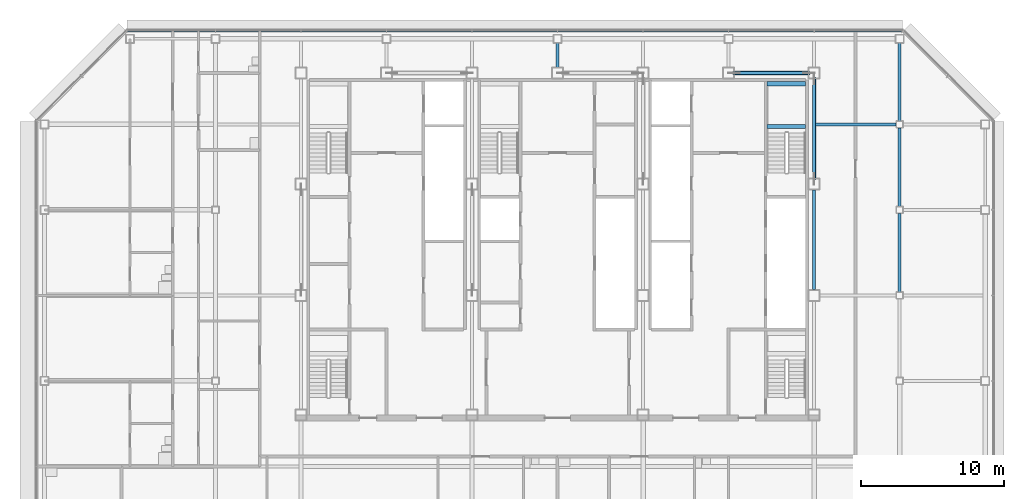
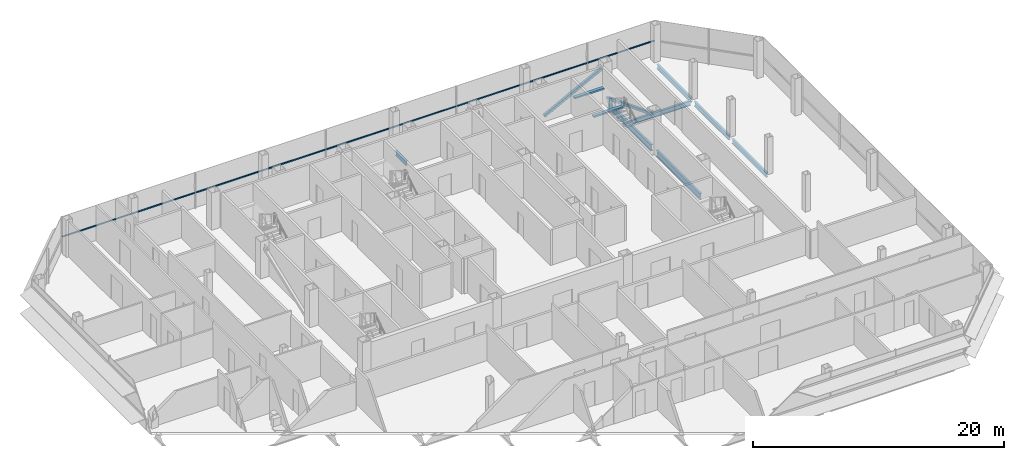
# One storey, part 15 of 28: 9 beams, 3 members, 1 element without a shape of its own.
"""IFC4 building model written with IfcOpenShell, lengths in metres."""

from ifc_helpers import new_model, si_unit, direction, frame, origin, origin_2d, place, context, subcontext, project, spatial, rectangle, hollow_rectangle, i_section, extrude, material, material_profile, profile_set, type_object, element, aggregate, save


model = new_model("IFC4")

# Units and contexts
model_context = context("Model", 3, precision=1e-05, world=origin(), true_north=direction((0.0, 1.0)))
body_context = subcontext(model_context, "Body", "Model", "MODEL_VIEW")
ifc_project = project(units=[si_unit("LENGTHUNIT", "METRE"), si_unit("AREAUNIT", "SQUARE_METRE"), si_unit("VOLUMEUNIT", "CUBIC_METRE"), si_unit("PLANEANGLEUNIT", "RADIAN"), si_unit("MASSUNIT", "GRAM", prefix="KILO")], contexts=[model_context])

# Site, building, storey
site_placement = place(None, origin())
site = spatial("IfcSite", under=ifc_project, at=site_placement, CompositionType="ELEMENT")
building_placement = place(site_placement, origin())
building = spatial("IfcBuilding", under=site, at=building_placement, Name="Sorahane Residences", CompositionType="ELEMENT")
storey_placement = place(building_placement, frame((0.0, 0.0, 270.199951171875)))
storey = spatial("IfcBuildingStorey", under=building, at=storey_placement, Name="L64", CompositionType="ELEMENT", Elevation=270.199951171875)

# Members
ifc_material_1 = material(Name="Steel Q355B", Category="steel")
ifc_material_profile_1 = material_profile(ifc_material_1, hollow_rectangle(XDim=0.25, YDim=0.25, WallThickness=0.013916015625, InnerFilletRadius=0.007080078125, OuterFilletRadius=0.02099609375, at=origin_2d()), Name="RHS 250x250x14")
ifc_profile_set_1 = profile_set([ifc_material_profile_1], Name="Steel Q355B")
member_type_1 = type_object("IfcMemberType", Name="Core brace RHS 250x250x14 Q355B", PredefinedType="BRACE", material=ifc_profile_set_1)
member_1_placement = place(storey_placement, frame((36.365234375, 45.60009765625, 0.10693359375), z_axis=(0.886099769192, 0.0, 0.46349455125), x_axis=(0.0, 1.0, 0.0)))
element("IfcMember", 1, at=member_1_placement, inside=storey, type_object=member_type_1, Name="Core brace L64 y45.6-6", PredefinedType="BRACE", context=body_context, shape_type="SweptSolid", body=[
    extrude(hollow_rectangle(XDim=0.25, YDim=0.25, WallThickness=0.013916015625, InnerFilletRadius=0.007080078125, OuterFilletRadius=0.02099609375, at=origin_2d()), origin(), (0.0, 0.0, 1.0), 5.94677734375),
])
member_2_placement = place(storey_placement, frame((42.0, 45.22705078125, 0.114501953125), z_axis=(0.0, -0.932097872445, 0.362206510411), x_axis=(1.0, 0.0, 0.0)))
element("IfcMember", 2, at=member_2_placement, inside=storey, type_object=member_type_1, Name="Core brace L64 x42-3", PredefinedType="BRACE", context=body_context, shape_type="SweptSolid", body=[
    extrude(hollow_rectangle(XDim=0.25, YDim=0.25, WallThickness=0.013916015625, InnerFilletRadius=0.007080078125, OuterFilletRadius=0.02099609375, at=origin_2d()), origin(), (0.0, 0.0, 1.0), 7.568115234375),
])

# Curtain wall, member
ifc_material_2 = material(Name="Dark low-e glass and black anodised aluminium", Category="aluminium")
curtain_wall_type = type_object("IfcCurtainWallType", Name="Curtain wall CW-1 Typical unitised wall", PredefinedType="NOTDEFINED", material=ifc_material_2)
curtain_wall_placement = place(storey_placement, origin())
curtain_wall = element("IfcCurtainWall", 3, at=curtain_wall_placement, inside=storey, type_object=curtain_wall_type, Name="CW-1 curtain wall L64 N1", PredefinedType="NOTDEFINED")
ifc_material_3 = material(Name="Black anodised aluminium", Category="aluminium")
ifc_material_profile_2 = material_profile(ifc_material_3, rectangle(XDim=0.10009765625, YDim=0.06005859375, at=origin_2d()), Name="Curtain wall transom CW-1 black anodised aluminium 60x100")
ifc_profile_set_2 = profile_set([ifc_material_profile_2], Name="Black anodised aluminium")
member_type_2 = type_object("IfcMemberType", Name="Curtain wall transom CW-1 black anodised aluminium 60x100", PredefinedType="USERDEFINED", material=ifc_profile_set_2)
member_3_placement = place(storey_placement, frame((48.198486328125, 48.530029296875, 1.5), z_axis=(-1.0, 0.0, 0.0), x_axis=(0.0, -1.0, 0.0)))
member_3 = element("IfcMember", 4, at=member_3_placement, type_object=member_type_2, Name="CW-1 transom L64 N1", ObjectType="TRANSOM", PredefinedType="USERDEFINED", context=body_context, shape_type="SweptSolid", body=[
    extrude(rectangle(XDim=0.10009765625, YDim=0.06005859375, at=origin_2d()), origin(), (0.0, 0.0, 1.0), 54.39697265625),
])
aggregate(curtain_wall, [member_3])

# Beams
ifc_material_4 = material(Name="Concrete C40", Category="concrete")
ifc_material_profile_3 = material_profile(ifc_material_4, rectangle(XDim=0.300048828125, YDim=0.139892578125, at=origin_2d()), Name="300x140")
ifc_profile_set_3 = profile_set([ifc_material_profile_3], Name="Concrete C40")
beam_type_1 = type_object("IfcBeamType", Name="RC landing beam 300 x 140 Concrete C40", PredefinedType="BEAM", material=ifc_profile_set_3)
for number, where, z_axis, x_axis, name in (
    (5, (38.699951171875, 41.85009765625, 1.530029296875), (1.0, 0.0, 0.0), (0.0, 1.0, 0.0), "Landing beam"),
    (6, (38.699951171875, 44.85009765625, 1.530029296875), (1.0, 0.0, 0.0), (0.0, 1.0, 0.0), "Landing beam"),
):
    element("IfcBeam", number, at=place(storey_placement, frame(where, z_axis=z_axis, x_axis=x_axis)), inside=storey, type_object=beam_type_1, Name=name, PredefinedType="BEAM", context=body_context, shape_type="SweptSolid", body=[
        extrude(rectangle(XDim=0.300048828125, YDim=0.139892578125, at=origin_2d()), origin(), (0.0, 0.0, 1.0), 2.699951171875),
    ])
ifc_material_5 = material(Name="Steel Q355B", Category="steel")
ifc_material_profile_4 = material_profile(ifc_material_5, i_section(OverallWidth=0.199951171875, OverallDepth=0.449951171875, WebThickness=0.009033203125, FlangeThickness=0.013916015625, FilletRadius=0.02001953125, at=origin_2d()), Name="HN 450x200x9x14")
ifc_profile_set_4 = profile_set([ifc_material_profile_4], Name="Steel Q355B")
beam_type_2 = type_object("IfcBeamType", Name="Steel floor beam HN 450x200x9x14 Q355B", PredefinedType="BEAM", material=ifc_profile_set_4)
beam_1_placement = place(storey_placement, frame((24.0, 46.0, -0.405029296875), z_axis=(0.0, 1.0, 0.0), x_axis=(-1.0, 0.0, 0.0)))
element("IfcBeam", 7, at=beam_1_placement, inside=storey, type_object=beam_type_2, Name="Beam L64 043", PredefinedType="BEAM", context=body_context, shape_type="SweptSolid", body=[
    extrude(i_section(OverallWidth=0.199951171875, OverallDepth=0.449951171875, WebThickness=0.009033203125, FlangeThickness=0.013916015625, FilletRadius=0.02001953125, at=origin_2d()), origin(), (0.0, 0.0, 1.0), 1.699951171875),
])
for number, where, z_axis, x_axis, name in (
    (8, (48.0, 30.25, -0.405029296875), (0.0, 1.0, 0.0), (-1.0, 0.0, 0.0), "Beam L64 061"),
    (9, (48.0, 36.25, -0.405029296875), (0.0, 1.0, 0.0), (-1.0, 0.0, 0.0), "Beam L64 062"),
):
    element("IfcBeam", number, at=place(storey_placement, frame(where, z_axis=z_axis, x_axis=x_axis)), inside=storey, type_object=beam_type_2, Name=name, PredefinedType="BEAM", context=body_context, shape_type="SweptSolid", body=[
        extrude(i_section(OverallWidth=0.199951171875, OverallDepth=0.449951171875, WebThickness=0.009033203125, FlangeThickness=0.013916015625, FilletRadius=0.02001953125, at=origin_2d()), origin(), (0.0, 0.0, 1.0), 5.5),
    ])
beam_2_placement = place(storey_placement, frame((48.0, 42.25, -0.405029296875), z_axis=(0.0, 1.0, 0.0), x_axis=(-1.0, 0.0, 0.0)))
element("IfcBeam", 10, at=beam_2_placement, inside=storey, type_object=beam_type_2, Name="Beam L64 063", PredefinedType="BEAM", context=body_context, shape_type="SweptSolid", body=[
    extrude(i_section(OverallWidth=0.199951171875, OverallDepth=0.449951171875, WebThickness=0.009033203125, FlangeThickness=0.013916015625, FilletRadius=0.02001953125, at=origin_2d()), origin(), (0.0, 0.0, 1.0), 5.449951171875),
])
beam_3_placement = place(storey_placement, frame((42.10009765625, 42.0, -0.405029296875), z_axis=(1.0, 0.0, 0.0), x_axis=(0.0, 1.0, 0.0)))
element("IfcBeam", 11, at=beam_3_placement, inside=storey, type_object=beam_type_2, Name="Beam L64 091", PredefinedType="BEAM", context=body_context, shape_type="SweptSolid", body=[
    extrude(i_section(OverallWidth=0.199951171875, OverallDepth=0.449951171875, WebThickness=0.009033203125, FlangeThickness=0.013916015625, FilletRadius=0.02001953125, at=origin_2d()), origin(), (0.0, 0.0, 1.0), 5.64990234375),
])
ifc_material_6 = material(Name="Steel Q355B", Category="steel")
ifc_material_profile_5 = material_profile(ifc_material_6, i_section(OverallWidth=0.199951171875, OverallDepth=0.60009765625, WebThickness=0.010986328125, FlangeThickness=0.01708984375, FilletRadius=0.02392578125, at=origin_2d()), Name="HN 600x200x11x17")
ifc_profile_set_5 = profile_set([ifc_material_profile_5], Name="Steel Q355B")
beam_type_3 = type_object("IfcBeamType", Name="Steel floor beam HN 600x200x11x17 Q355B", PredefinedType="BEAM", material=ifc_profile_set_5)
for number, where, z_axis, x_axis, name in (
    (12, (42.0, 30.39990234375, -0.47998046875), (0.0, 1.0, 0.0), (-1.0, 0.0, 0.0), "Beam L64 055"),
    (13, (42.0, 38.199951171875, -0.47998046875), (0.0, 1.0, 0.0), (-1.0, 0.0, 0.0), "Beam L64 056"),
):
    element("IfcBeam", number, at=place(storey_placement, frame(where, z_axis=z_axis, x_axis=x_axis)), inside=storey, type_object=beam_type_3, Name=name, PredefinedType="BEAM", context=body_context, shape_type="SweptSolid", body=[
        extrude(i_section(OverallWidth=0.199951171875, OverallDepth=0.60009765625, WebThickness=0.010986328125, FlangeThickness=0.01708984375, FilletRadius=0.02392578125, at=origin_2d()), origin(), (0.0, 0.0, 1.0), 7.0),
    ])

save(model, "model.ifc")
